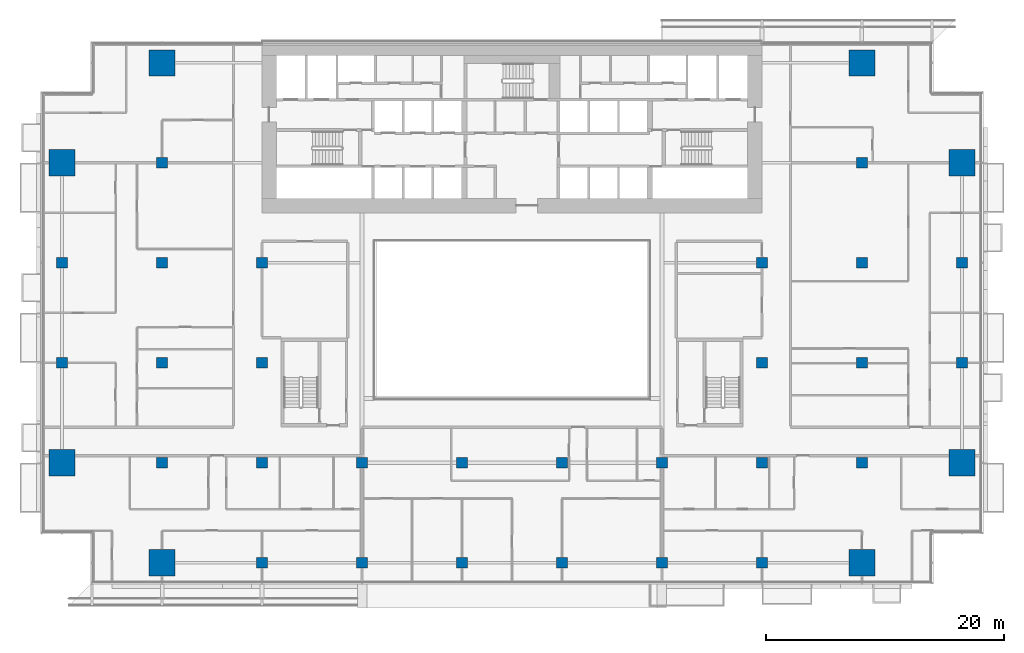
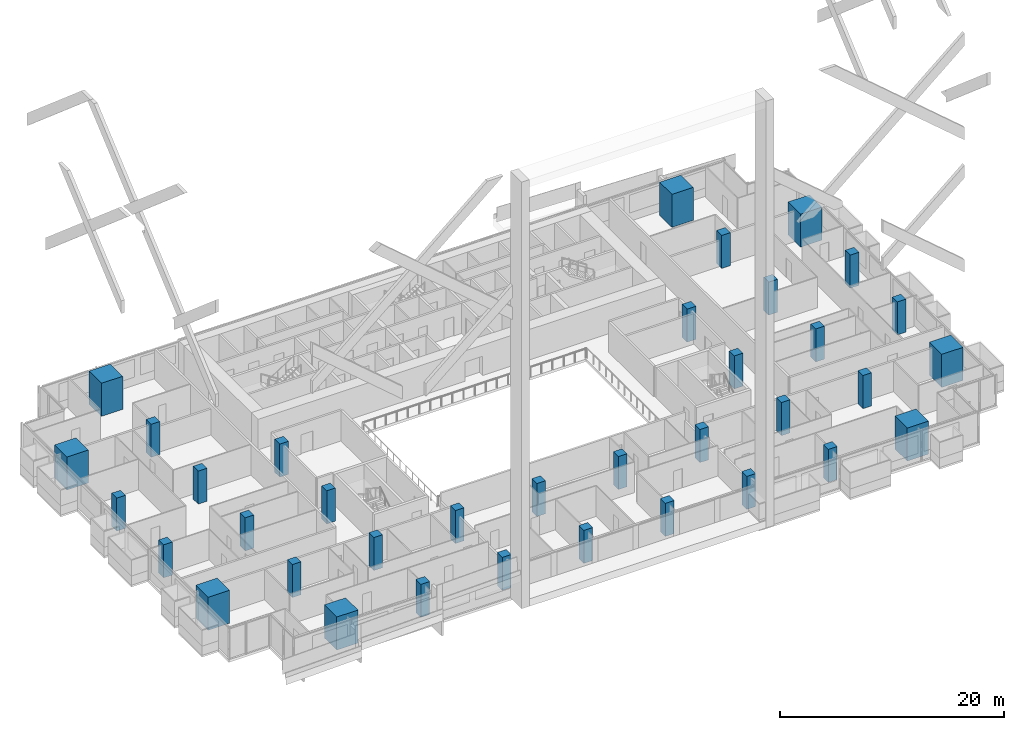
# One storey, part 1 of 30: 36 columns.
"""IFC4 building model written with IfcOpenShell, lengths in metres."""

from ifc_helpers import new_model, si_unit, direction, frame, origin, origin_2d, place, context, subcontext, project, spatial, rectangle, extrude, material, material_profile, profile_set, type_object, element, save


model = new_model("IFC4")

# Units and contexts
model_context = context("Model", 3, precision=1e-05, world=origin(), true_north=direction((0.0, 1.0)))
body_context = subcontext(model_context, "Body", "Model", "MODEL_VIEW")
ifc_project = project(units=[si_unit("LENGTHUNIT", "METRE"), si_unit("AREAUNIT", "SQUARE_METRE"), si_unit("VOLUMEUNIT", "CUBIC_METRE"), si_unit("PLANEANGLEUNIT", "RADIAN"), si_unit("MASSUNIT", "GRAM", prefix="KILO")], contexts=[model_context])

# Site, building, storey
site_placement = place(None, origin())
site = spatial("IfcSite", under=ifc_project, at=site_placement, CompositionType="ELEMENT")
building_placement = place(site_placement, origin())
building = spatial("IfcBuilding", under=site, at=building_placement, Name="Saffron Gate Tower", CompositionType="ELEMENT")
storey_placement = place(building_placement, frame((0.0, 0.0, 37.199951171875)))
storey = spatial("IfcBuildingStorey", under=building, at=storey_placement, Name="L07", CompositionType="ELEMENT", Elevation=37.199951171875)

# Columns
ifc_material_1 = material(Name="Concrete C60", Category="concrete")
ifc_material_profile_1 = material_profile(ifc_material_1, rectangle(XDim=0.89990234375, YDim=0.89990234375, at=origin_2d()))
ifc_profile_set_1 = profile_set([ifc_material_profile_1], Name="Concrete C60")
column_type_1 = type_object("IfcColumnType", Name="C6 RC 900x900 CONCRETE C60", PredefinedType="COLUMN", material=ifc_profile_set_1)
for number, where, z_axis, x_axis, name in (
    (1, (49.800048828125, 48.60009765625, 0.0), (0.0, 0.0, 1.0), (1.0, 0.0, 0.0), "C6 COLUMN X1-C"),
    (2, (49.800048828125, 57.0, 0.0), (0.0, 0.0, 1.0), (1.0, 0.0, 0.0), "C6 COLUMN X1-D"),
    (3, (58.199951171875, 40.199951171875, 0.0), (0.0, 0.0, 1.0), (1.0, 0.0, 0.0), "C6 COLUMN X2-B"),
    (4, (58.199951171875, 48.60009765625, 0.0), (0.0, 0.0, 1.0), (1.0, 0.0, 0.0), "C6 COLUMN X2-C"),
    (5, (58.199951171875, 57.0, 0.0), (0.0, 0.0, 1.0), (1.0, 0.0, 0.0), "C6 COLUMN X2-D"),
    (6, (58.199951171875, 65.39990234375, 0.0), (0.0, 0.0, 1.0), (1.0, 0.0, 0.0), "C6 COLUMN X2-E"),
    (7, (66.60009765625, 31.800048828125, 0.0), (0.0, 0.0, 1.0), (1.0, 0.0, 0.0), "C6 COLUMN X3-A"),
    (8, (66.60009765625, 40.199951171875, 0.0), (0.0, 0.0, 1.0), (1.0, 0.0, 0.0), "C6 COLUMN X3-B"),
    (9, (66.60009765625, 48.60009765625, 0.0), (0.0, 0.0, 1.0), (1.0, 0.0, 0.0), "C6 COLUMN X3-C"),
    (10, (66.60009765625, 57.0, 0.0), (0.0, 0.0, 1.0), (1.0, 0.0, 0.0), "C6 COLUMN X3-D"),
    (11, (75.0, 31.800048828125, 0.0), (0.0, 0.0, 1.0), (1.0, 0.0, 0.0), "C6 COLUMN X4-A"),
    (12, (75.0, 40.199951171875, 0.0), (0.0, 0.0, 1.0), (1.0, 0.0, 0.0), "C6 COLUMN X4-B"),
    (13, (83.39990234375, 31.800048828125, 0.0), (0.0, 0.0, 1.0), (1.0, 0.0, 0.0), "C6 COLUMN X5-A"),
    (14, (83.39990234375, 40.199951171875, 0.0), (0.0, 0.0, 1.0), (1.0, 0.0, 0.0), "C6 COLUMN X5-B"),
    (15, (91.800048828125, 31.800048828125, 0.0), (0.0, 0.0, 1.0), (1.0, 0.0, 0.0), "C6 COLUMN X6-A"),
    (16, (91.800048828125, 40.199951171875, 0.0), (0.0, 0.0, 1.0), (1.0, 0.0, 0.0), "C6 COLUMN X6-B"),
    (17, (100.199951171875, 31.800048828125, 0.0), (0.0, 0.0, 1.0), (1.0, 0.0, 0.0), "C6 COLUMN X7-A"),
    (18, (100.199951171875, 40.199951171875, 0.0), (0.0, 0.0, 1.0), (1.0, 0.0, 0.0), "C6 COLUMN X7-B"),
    (19, (108.60009765625, 31.800048828125, 0.0), (0.0, 0.0, 1.0), (1.0, 0.0, 0.0), "C6 COLUMN X8-A"),
    (20, (108.60009765625, 40.199951171875, 0.0), (0.0, 0.0, 1.0), (1.0, 0.0, 0.0), "C6 COLUMN X8-B"),
    (21, (108.60009765625, 48.60009765625, 0.0), (0.0, 0.0, 1.0), (1.0, 0.0, 0.0), "C6 COLUMN X8-C"),
    (22, (108.60009765625, 57.0, 0.0), (0.0, 0.0, 1.0), (1.0, 0.0, 0.0), "C6 COLUMN X8-D"),
    (23, (117.0, 40.199951171875, 0.0), (0.0, 0.0, 1.0), (1.0, 0.0, 0.0), "C6 COLUMN X9-B"),
    (24, (117.0, 48.60009765625, 0.0), (0.0, 0.0, 1.0), (1.0, 0.0, 0.0), "C6 COLUMN X9-C"),
    (25, (117.0, 57.0, 0.0), (0.0, 0.0, 1.0), (1.0, 0.0, 0.0), "C6 COLUMN X9-D"),
    (26, (117.0, 65.39990234375, 0.0), (0.0, 0.0, 1.0), (1.0, 0.0, 0.0), "C6 COLUMN X9-E"),
    (27, (125.39990234375, 48.60009765625, 0.0), (0.0, 0.0, 1.0), (1.0, 0.0, 0.0), "C6 COLUMN X10-C"),
    (28, (125.39990234375, 57.0, 0.0), (0.0, 0.0, 1.0), (1.0, 0.0, 0.0), "C6 COLUMN X10-D"),
):
    element("IfcColumn", number, at=place(storey_placement, frame(where, z_axis=z_axis, x_axis=x_axis)), inside=storey, type_object=column_type_1, Name=name, PredefinedType="COLUMN", context=body_context, shape_type="SweptSolid", body=[
        extrude(rectangle(XDim=0.89990234375, YDim=0.89990234375, at=origin_2d()), origin(), (0.0, 0.0, 1.0), 3.60009765625),
    ])
ifc_material_2 = material(Name="Concrete C80", Category="concrete")
ifc_material_profile_2 = material_profile(ifc_material_2, rectangle(XDim=2.199951171875, YDim=2.199951171875, at=origin_2d()))
ifc_profile_set_2 = profile_set([ifc_material_profile_2], Name="Concrete C80")
column_type_2 = type_object("IfcColumnType", Name="MC4 RC 2200x2200 CONCRETE C80", PredefinedType="COLUMN", material=ifc_profile_set_2)
for number, where, z_axis, x_axis, name in (
    (29, (49.800048828125, 40.199951171875, 0.0), (0.0, 0.0, 1.0), (1.0, 0.0, 0.0), "MC4 MEGA COLUMN X1-B"),
    (30, (49.800048828125, 65.39990234375, 0.0), (0.0, 0.0, 1.0), (1.0, 0.0, 0.0), "MC4 MEGA COLUMN X1-E"),
    (31, (58.199951171875, 31.800048828125, 0.0), (0.0, 0.0, 1.0), (1.0, 0.0, 0.0), "MC4 MEGA COLUMN X2-A"),
    (32, (58.199951171875, 73.800048828125, 0.0), (0.0, 0.0, 1.0), (1.0, 0.0, 0.0), "MC4 MEGA COLUMN X2-F"),
    (33, (117.0, 31.800048828125, 0.0), (0.0, 0.0, 1.0), (1.0, 0.0, 0.0), "MC4 MEGA COLUMN X9-A"),
    (34, (117.0, 73.800048828125, 0.0), (0.0, 0.0, 1.0), (1.0, 0.0, 0.0), "MC4 MEGA COLUMN X9-F"),
    (35, (125.39990234375, 40.199951171875, 0.0), (0.0, 0.0, 1.0), (1.0, 0.0, 0.0), "MC4 MEGA COLUMN X10-B"),
    (36, (125.39990234375, 65.39990234375, 0.0), (0.0, 0.0, 1.0), (1.0, 0.0, 0.0), "MC4 MEGA COLUMN X10-E"),
):
    element("IfcColumn", number, at=place(storey_placement, frame(where, z_axis=z_axis, x_axis=x_axis)), inside=storey, type_object=column_type_2, Name=name, PredefinedType="COLUMN", context=body_context, shape_type="SweptSolid", body=[
        extrude(rectangle(XDim=2.199951171875, YDim=2.199951171875, at=origin_2d()), origin(), (0.0, 0.0, 1.0), 3.60009765625),
    ])

save(model, "model.ifc")
